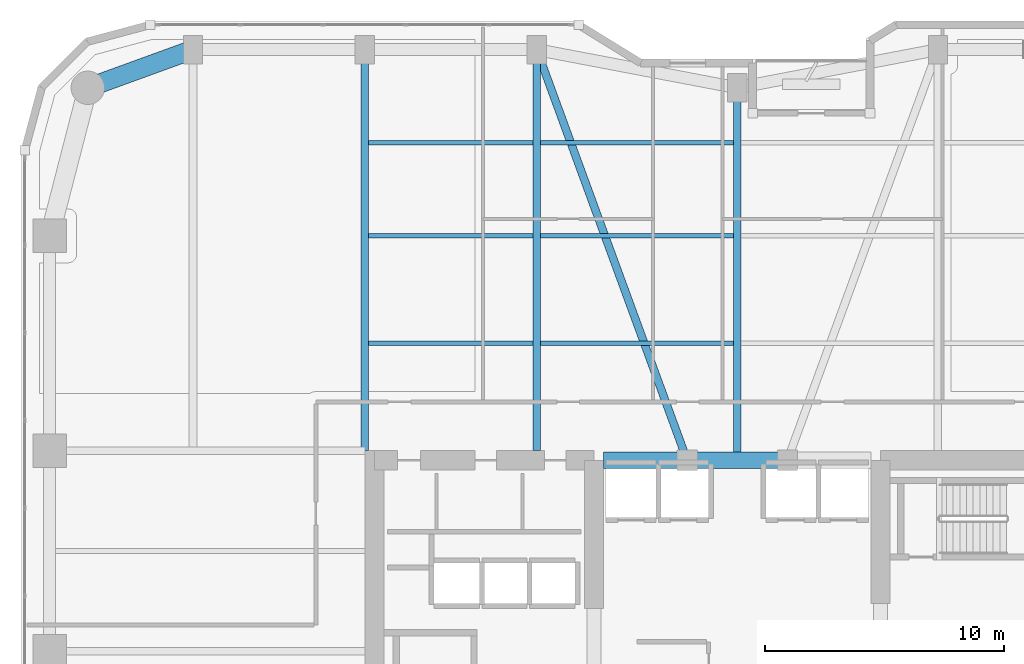
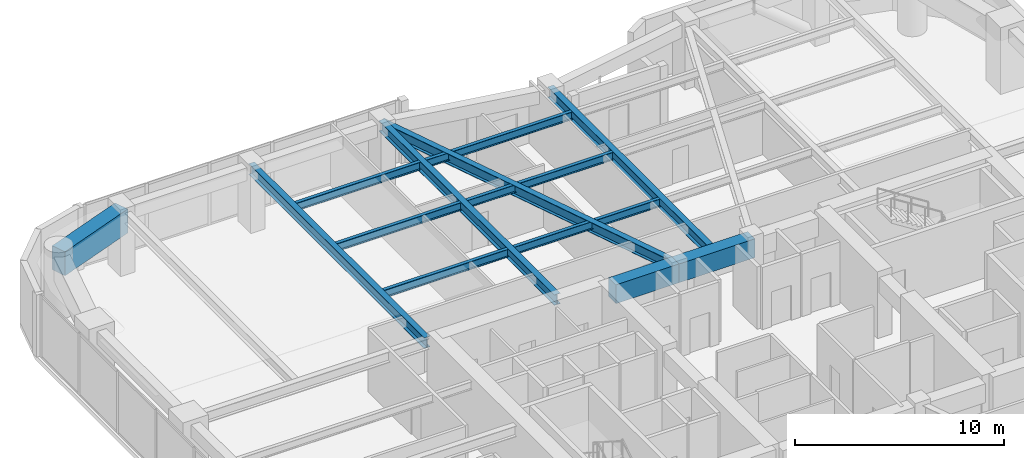
# One storey, part 12 of 24: 13 beams.
"""IFC4 building model written with IfcOpenShell, lengths in metres."""

from ifc_helpers import new_model, si_unit, direction, frame, origin, origin_2d, place, context, subcontext, project, spatial, rectangle, i_section, extrude, material, material_profile, profile_set, type_object, element, save


model = new_model("IFC4")

# Units and contexts
model_context = context("Model", 3, precision=1e-05, world=origin(), true_north=direction((0.0, 1.0)))
body_context = subcontext(model_context, "Body", "Model", "MODEL_VIEW")
ifc_project = project(units=[si_unit("LENGTHUNIT", "METRE"), si_unit("AREAUNIT", "SQUARE_METRE"), si_unit("VOLUMEUNIT", "CUBIC_METRE"), si_unit("PLANEANGLEUNIT", "RADIAN"), si_unit("MASSUNIT", "GRAM", prefix="KILO")], contexts=[model_context])

# Site, building, storey
site_placement = place(None, origin())
site = spatial("IfcSite", under=ifc_project, at=site_placement, CompositionType="ELEMENT")
building_placement = place(site_placement, origin())
building = spatial("IfcBuilding", under=site, at=building_placement, Name="Kiyonajd Concourse Tower", CompositionType="ELEMENT")
storey_placement = place(building_placement, frame((0.0, 0.0, 137.699951171875)))
storey = spatial("IfcBuildingStorey", under=building, at=storey_placement, Name="L35", CompositionType="ELEMENT", Elevation=137.699951171875)

# Beams
ifc_material_1 = material(Name="Concrete C70/85", Category="concrete")
ifc_material_profile_1 = material_profile(ifc_material_1, rectangle(XDim=0.699951171875, YDim=1.10009765625, at=origin_2d()), Name="RCBM-700x1100")
ifc_profile_set_1 = profile_set([ifc_material_profile_1], Name="Concrete C70/85")
beam_type_1 = type_object("IfcBeamType", Name="BM-COUP-1100", PredefinedType="LINTEL", material=ifc_profile_set_1)
beam_1_placement = place(storey_placement, frame((42.39990234375, 44.0, 3.090087890625), z_axis=(1.0, 0.0, 0.0), x_axis=(0.0, 1.0, 0.0)))
element("IfcBeam", 1, at=beam_1_placement, inside=storey, type_object=beam_type_1, Name="L35 Core Coupling Beam N1", PredefinedType="LINTEL", context=body_context, shape_type="SweptSolid", body=[
    extrude(rectangle(XDim=0.699951171875, YDim=1.10009765625, at=origin_2d()), origin(), (0.0, 0.0, 1.0), 3.5),
])
beam_2_placement = place(storey_placement, frame((45.89990234375, 44.0, 3.090087890625), z_axis=(1.0, 0.0, 0.0), x_axis=(0.0, 1.0, 0.0)))
element("IfcBeam", 2, at=beam_2_placement, inside=storey, type_object=beam_type_1, Name="L35 Core Coupling Beam N2", PredefinedType="LINTEL", context=body_context, shape_type="SweptSolid", body=[
    extrude(rectangle(XDim=0.699951171875, YDim=1.10009765625, at=origin_2d()), origin(), (0.0, 0.0, 1.0), 4.2001953125),
])
ifc_material_2 = material(Name="Steel ASTM A992 Grade 50", Category="steel")
ifc_material_profile_2 = material_profile(ifc_material_2, i_section(OverallWidth=0.19189453125, OverallDepth=0.462890625, WebThickness=0.010498046875, FlangeThickness=0.017578125, at=origin_2d()), Name="W460X89")
ifc_profile_set_2 = profile_set([ifc_material_profile_2], Name="Steel ASTM A992 Grade 50")
beam_type_2 = type_object("IfcBeamType", Name="BM-JST-460B", PredefinedType="JOIST", material=ifc_profile_set_2)
beam_3_placement = place(storey_placement, frame((32.5634765625, 48.89990234375, 3.408447265625), z_axis=(1.0, 0.0, 0.0), x_axis=(0.0, 1.0, 0.0)))
element("IfcBeam", 3, at=beam_3_placement, inside=storey, type_object=beam_type_2, Name="L35 Secondary Floor Joist", PredefinedType="JOIST", context=body_context, shape_type="SweptSolid", body=[
    extrude(i_section(OverallWidth=0.19189453125, OverallDepth=0.462890625, WebThickness=0.010498046875, FlangeThickness=0.017578125, at=origin_2d()), origin(), (0.0, 0.0, 1.0), 6.873046875),
])
beam_4_placement = place(storey_placement, frame((39.763427734375, 48.89990234375, 3.408447265625), z_axis=(1.0, 0.0, 0.0), x_axis=(0.0, 1.0, 0.0)))
element("IfcBeam", 4, at=beam_4_placement, inside=storey, type_object=beam_type_2, Name="L35 Secondary Floor Joist", PredefinedType="JOIST", context=body_context, shape_type="SweptSolid", body=[
    extrude(i_section(OverallWidth=0.19189453125, OverallDepth=0.462890625, WebThickness=0.010498046875, FlangeThickness=0.017578125, at=origin_2d()), origin(), (0.0, 0.0, 1.0), 8.072998046875),
])
beam_5_placement = place(storey_placement, frame((32.5634765625, 53.39990234375, 3.408447265625), z_axis=(1.0, 0.0, 0.0), x_axis=(0.0, 1.0, 0.0)))
element("IfcBeam", 5, at=beam_5_placement, inside=storey, type_object=beam_type_2, Name="L35 Secondary Floor Joist", PredefinedType="JOIST", context=body_context, shape_type="SweptSolid", body=[
    extrude(i_section(OverallWidth=0.19189453125, OverallDepth=0.462890625, WebThickness=0.010498046875, FlangeThickness=0.017578125, at=origin_2d()), origin(), (0.0, 0.0, 1.0), 6.873046875),
])
beam_6_placement = place(storey_placement, frame((39.763427734375, 53.39990234375, 3.408447265625), z_axis=(1.0, 0.0, 0.0), x_axis=(0.0, 1.0, 0.0)))
element("IfcBeam", 6, at=beam_6_placement, inside=storey, type_object=beam_type_2, Name="L35 Secondary Floor Joist", PredefinedType="JOIST", context=body_context, shape_type="SweptSolid", body=[
    extrude(i_section(OverallWidth=0.19189453125, OverallDepth=0.462890625, WebThickness=0.010498046875, FlangeThickness=0.017578125, at=origin_2d()), origin(), (0.0, 0.0, 1.0), 8.072998046875),
])
beam_7_placement = place(storey_placement, frame((32.5634765625, 57.300048828125, 3.408447265625), z_axis=(1.0, 0.0, 0.0), x_axis=(0.0, 1.0, 0.0)))
element("IfcBeam", 7, at=beam_7_placement, inside=storey, type_object=beam_type_2, Name="L35 Secondary Floor Joist", PredefinedType="JOIST", context=body_context, shape_type="SweptSolid", body=[
    extrude(i_section(OverallWidth=0.19189453125, OverallDepth=0.462890625, WebThickness=0.010498046875, FlangeThickness=0.017578125, at=origin_2d()), origin(), (0.0, 0.0, 1.0), 6.873046875),
])
beam_8_placement = place(storey_placement, frame((39.763427734375, 57.300048828125, 3.408447265625), z_axis=(1.0, 0.0, 0.0), x_axis=(0.0, 1.0, 0.0)))
element("IfcBeam", 8, at=beam_8_placement, inside=storey, type_object=beam_type_2, Name="L35 Secondary Floor Joist", PredefinedType="JOIST", context=body_context, shape_type="SweptSolid", body=[
    extrude(i_section(OverallWidth=0.19189453125, OverallDepth=0.462890625, WebThickness=0.010498046875, FlangeThickness=0.017578125, at=origin_2d()), origin(), (0.0, 0.0, 1.0), 8.072998046875),
])
ifc_material_profile_3 = material_profile(ifc_material_2, i_section(OverallWidth=0.326904296875, OverallDepth=0.6220703125, WebThickness=0.015380859375, FlangeThickness=0.0244140625, at=origin_2d()), Name="W610X195")
ifc_profile_set_3 = profile_set([ifc_material_profile_3], Name="Steel ASTM A992 Grade 50")
beam_type_3 = type_object("IfcBeamType", Name="BM-TWR-610A", PredefinedType="BEAM", material=ifc_profile_set_3)
beam_9_placement = place(storey_placement, frame((39.60009765625, 61.199951171875, 3.3291015625), z_axis=(0.343925269715, -0.938997022813, 0.0), x_axis=(0.938997022813, 0.343925269715, 0.0)))
element("IfcBeam", 9, at=beam_9_placement, inside=storey, type_object=beam_type_3, Name="L35 Core Tie Girder", PredefinedType="BEAM", context=body_context, shape_type="SweptSolid", body=[
    extrude(i_section(OverallWidth=0.326904296875, OverallDepth=0.6220703125, WebThickness=0.015380859375, FlangeThickness=0.0244140625, at=origin_2d()), origin(), (0.0, 0.0, 1.0), 18.3173828125),
])
for number, where, z_axis, x_axis, name in (
    (10, (32.39990234375, 44.39990234375, 3.3291015625), (0.0, 1.0, 0.0), (-1.0, 0.0, 0.0), "L35 North Lease Girder"),
    (11, (39.60009765625, 44.39990234375, 3.3291015625), (0.0, 1.0, 0.0), (-1.0, 0.0, 0.0), "L35 North Lease Girder"),
):
    element("IfcBeam", number, at=place(storey_placement, frame(where, z_axis=z_axis, x_axis=x_axis)), inside=storey, type_object=beam_type_3, Name=name, PredefinedType="BEAM", context=body_context, shape_type="SweptSolid", body=[
        extrude(i_section(OverallWidth=0.326904296875, OverallDepth=0.6220703125, WebThickness=0.015380859375, FlangeThickness=0.0244140625, at=origin_2d()), origin(), (0.0, 0.0, 1.0), 16.800048828125),
    ])
beam_10_placement = place(storey_placement, frame((48.0, 44.0, 3.3291015625), z_axis=(0.0, 1.0, 0.0), x_axis=(-1.0, 0.0, 0.0)))
element("IfcBeam", 12, at=beam_10_placement, inside=storey, type_object=beam_type_3, Name="L35 North Ribbon Girder", PredefinedType="BEAM", context=body_context, shape_type="SweptSolid", body=[
    extrude(i_section(OverallWidth=0.326904296875, OverallDepth=0.6220703125, WebThickness=0.015380859375, FlangeThickness=0.0244140625, at=origin_2d()), origin(), (0.0, 0.0, 1.0), 15.60009765625),
])
ifc_material_3 = material(Name="Concrete C60/75", Category="concrete")
ifc_material_profile_4 = material_profile(ifc_material_3, rectangle(XDim=0.800048828125, YDim=1.39990234375, at=origin_2d()), Name="RCBM-800x1400")
ifc_profile_set_4 = profile_set([ifc_material_profile_4], Name="Concrete C60/75")
beam_type_4 = type_object("IfcBeamType", Name="BM-XFER-RC", PredefinedType="BEAM", material=ifc_profile_set_4)
beam_11_placement = place(storey_placement, frame((25.199951171875, 61.199951171875, 2.93994140625), z_axis=(-0.939801036019, -0.341722127901, 0.0), x_axis=(0.341722127901, -0.939801036019, 0.0)))
element("IfcBeam", 13, at=beam_11_placement, inside=storey, type_object=beam_type_4, Name="L35 Perimeter Bundled Tube Spandrel", PredefinedType="BEAM", context=body_context, shape_type="SweptSolid", body=[
    extrude(rectangle(XDim=0.800048828125, YDim=1.39990234375, at=origin_2d()), origin(), (0.0, 0.0, 1.0), 4.681640625),
])

save(model, "model.ifc")
